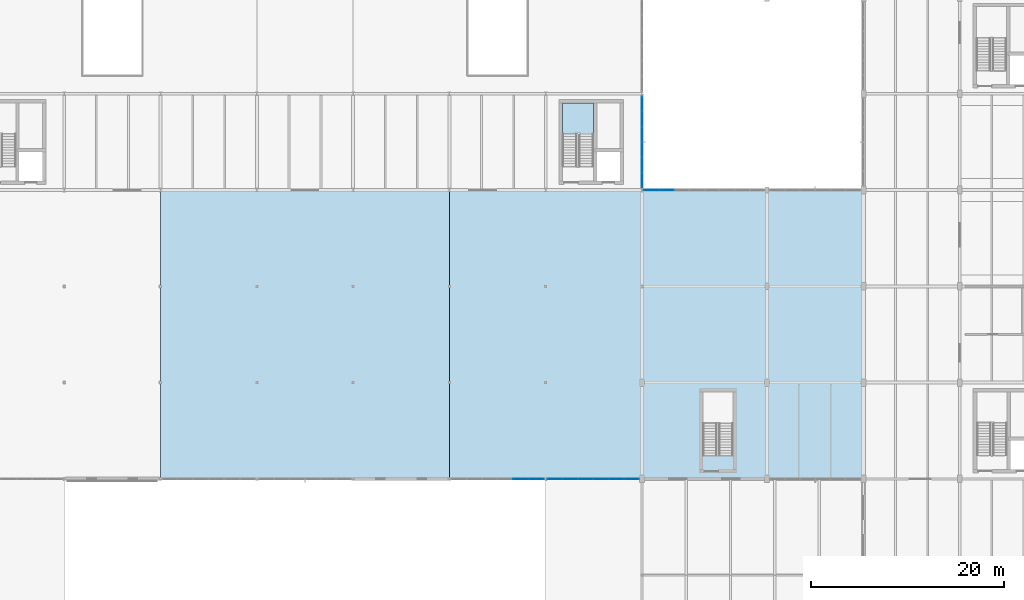
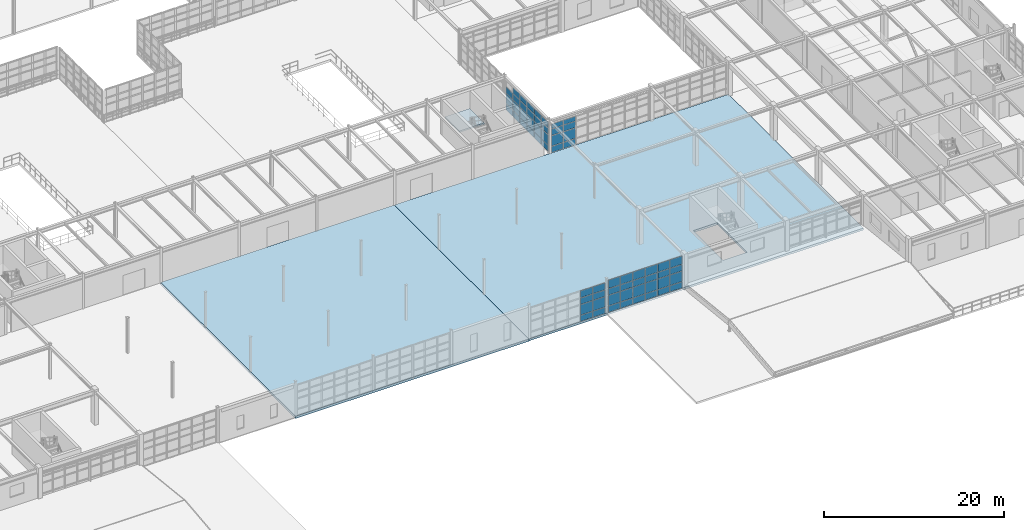
# One storey, part 87 of 139: 63 plates, 3 slabs, 5 elements without a shape of their own.
"""IFC4 building model written with IfcOpenShell, lengths in metres."""

from ifc_helpers import new_model, si_unit, direction, frame, origin, origin_2d, place, context, subcontext, project, spatial, polyline, rectangle, outline, extrude, material, layer, layer_set, type_object, element, aggregate, save


model = new_model("IFC4")

# Units and contexts
model_context = context("Model", 3, precision=1e-05, world=origin(), true_north=direction((0.0, 1.0)))
body_context = subcontext(model_context, "Body", "Model", "MODEL_VIEW")
ifc_project = project(units=[si_unit("LENGTHUNIT", "METRE"), si_unit("AREAUNIT", "SQUARE_METRE"), si_unit("VOLUMEUNIT", "CUBIC_METRE"), si_unit("PLANEANGLEUNIT", "RADIAN"), si_unit("MASSUNIT", "GRAM", prefix="KILO"), si_unit("THERMODYNAMICTEMPERATUREUNIT", "KELVIN"), si_unit("POWERUNIT", "WATT")], contexts=[model_context])

# Site, building, storey
site_placement = place(None, origin())
site = spatial("IfcSite", under=ifc_project, at=site_placement, CompositionType="ELEMENT")
building_placement = place(site_placement, origin())
building = spatial("IfcBuilding", under=site, at=building_placement, Name="Korenveer Ferry Terminal", CompositionType="ELEMENT")
storey_placement = place(building_placement, frame((0.0, 0.0, 5.39990234375)))
storey = spatial("IfcBuildingStorey", under=building, at=storey_placement, Name="L01", CompositionType="ELEMENT", Elevation=5.39990234375)

# Curtain wall, plates
ifc_material_1 = material(Name="Unitised bronze-and-glass curtain wall", Category="glass")
ifc_layer_1 = layer(ifc_material_1, 0.159912109375)
ifc_layer_set_1 = layer_set([ifc_layer_1], Name="Unitised bronze-and-glass curtain wall")
curtain_wall_type_1 = type_object("IfcCurtainWallType", Name="ENV-CW-40", PredefinedType="USERDEFINED", material=ifc_layer_set_1)
curtain_wall_1_placement = place(storey_placement, frame((103.155029296875, 20.0, 0.0)))
curtain_wall_1 = element("IfcCurtainWall", 1, at=curtain_wall_1_placement, inside=storey, type_object=curtain_wall_type_1, Name="Lancet curtain wall CWX-L01-X103-113-Y20-20", ObjectType="UNITISED CURTAIN WALL", PredefinedType="USERDEFINED")
ifc_material_2 = material(Name="Low-iron solar-control double glazing", Category="glass")
ifc_layer_2 = layer(ifc_material_2, 0.028076171875)
ifc_layer_set_2 = layer_set([ifc_layer_2], Name="Low-iron solar-control double glazing")
plate_type_1 = type_object("IfcPlateType", Name="ENV-CWP-GLZ28", PredefinedType="CURTAIN_PANEL", material=ifc_layer_set_2)
plate_1_placement = place(storey_placement, frame((110.422607421875, 20.0, 0.06005859375), z_axis=(0.0, 0.0, 1.0), x_axis=(1.0, 0.0, 0.0)))
plate_1 = element("IfcPlate", 2, at=plate_1_placement, type_object=plate_type_1, Name="CW-40 panel 5.1", PredefinedType="CURTAIN_PANEL", context=body_context, shape_type="SweptSolid", body=[
    extrude(rectangle(XDim=1.554931640625, YDim=0.028076171875, at=origin_2d()), origin(), (0.0, 0.0, 1.0), 0.81005859375),
])
plate_2_placement = place(storey_placement, frame((110.422607421875, 20.0, 0.93017578125), z_axis=(0.0, 0.0, 1.0), x_axis=(1.0, 0.0, 0.0)))
plate_2 = element("IfcPlate", 3, at=plate_2_placement, type_object=plate_type_1, Name="CW-40 panel 5.2", PredefinedType="CURTAIN_PANEL", context=body_context, shape_type="SweptSolid", body=[
    extrude(rectangle(XDim=1.554931640625, YDim=0.028076171875, at=origin_2d()), origin(), (0.0, 0.0, 1.0), 1.389892578125),
])
plate_3_placement = place(storey_placement, frame((110.422607421875, 20.0, 2.3798828125), z_axis=(0.0, 0.0, 1.0), x_axis=(1.0, 0.0, 0.0)))
plate_3 = element("IfcPlate", 4, at=plate_3_placement, type_object=plate_type_1, Name="CW-40 panel 5.3", PredefinedType="CURTAIN_PANEL", context=body_context, shape_type="SweptSolid", body=[
    extrude(rectangle(XDim=1.554931640625, YDim=0.028076171875, at=origin_2d()), origin(), (0.0, 0.0, 1.0), 0.840087890625),
])
plate_4_placement = place(storey_placement, frame((110.422607421875, 20.0, 3.280029296875), z_axis=(0.0, 0.0, 1.0), x_axis=(1.0, 0.0, 0.0)))
plate_4 = element("IfcPlate", 5, at=plate_4_placement, type_object=plate_type_1, Name="CW-40 panel 5.4", PredefinedType="CURTAIN_PANEL", context=body_context, shape_type="SweptSolid", body=[
    extrude(rectangle(XDim=1.554931640625, YDim=0.028076171875, at=origin_2d()), origin(), (0.0, 0.0, 1.0), 0.919921875),
])
plate_5_placement = place(storey_placement, frame((112.0224609375, 20.0, 0.06005859375), z_axis=(0.0, 0.0, 1.0), x_axis=(1.0, 0.0, 0.0)))
plate_5 = element("IfcPlate", 6, at=plate_5_placement, type_object=plate_type_1, Name="CW-40 panel 6.1", PredefinedType="CURTAIN_PANEL", context=body_context, shape_type="SweptSolid", body=[
    extrude(rectangle(XDim=1.52490234375, YDim=0.028076171875, at=origin_2d()), origin(), (0.0, 0.0, 1.0), 0.81005859375),
])
plate_6_placement = place(storey_placement, frame((112.0224609375, 20.0, 0.93017578125), z_axis=(0.0, 0.0, 1.0), x_axis=(1.0, 0.0, 0.0)))
plate_6 = element("IfcPlate", 7, at=plate_6_placement, type_object=plate_type_1, Name="CW-40 panel 6.2", PredefinedType="CURTAIN_PANEL", context=body_context, shape_type="SweptSolid", body=[
    extrude(rectangle(XDim=1.52490234375, YDim=0.028076171875, at=origin_2d()), origin(), (0.0, 0.0, 1.0), 1.389892578125),
])
plate_7_placement = place(storey_placement, frame((112.0224609375, 20.0, 2.3798828125), z_axis=(0.0, 0.0, 1.0), x_axis=(1.0, 0.0, 0.0)))
plate_7 = element("IfcPlate", 8, at=plate_7_placement, type_object=plate_type_1, Name="CW-40 panel 6.3", PredefinedType="CURTAIN_PANEL", context=body_context, shape_type="SweptSolid", body=[
    extrude(rectangle(XDim=1.52490234375, YDim=0.028076171875, at=origin_2d()), origin(), (0.0, 0.0, 1.0), 0.840087890625),
])
plate_8_placement = place(storey_placement, frame((112.0224609375, 20.0, 3.280029296875), z_axis=(0.0, 0.0, 1.0), x_axis=(1.0, 0.0, 0.0)))
plate_8 = element("IfcPlate", 9, at=plate_8_placement, type_object=plate_type_1, Name="CW-40 panel 6.4", PredefinedType="CURTAIN_PANEL", context=body_context, shape_type="SweptSolid", body=[
    extrude(rectangle(XDim=1.52490234375, YDim=0.028076171875, at=origin_2d()), origin(), (0.0, 0.0, 1.0), 0.919921875),
])
aggregate(curtain_wall_1, [plate_1, plate_2, plate_3, plate_4, plate_5, plate_6, plate_7, plate_8])

ifc_layer_3 = layer(ifc_material_1, 0.159912109375)
ifc_layer_set_3 = layer_set([ifc_layer_3], Name="Unitised bronze-and-glass curtain wall")
curtain_wall_type_2 = type_object("IfcCurtainWallType", Name="ENV-CW-39", PredefinedType="USERDEFINED", material=ifc_layer_set_3)
curtain_wall_2_placement = place(storey_placement, frame((113.155029296875, 20.0, 0.0)))
curtain_wall_2 = element("IfcCurtainWall", 10, at=curtain_wall_2_placement, inside=storey, type_object=curtain_wall_type_2, Name="Lancet curtain wall CWX-L01-X113-123-Y20-20", ObjectType="UNITISED CURTAIN WALL", PredefinedType="USERDEFINED")
plate_9_placement = place(storey_placement, frame((113.967041015625, 20.0, 0.06005859375), z_axis=(0.0, 0.0, 1.0), x_axis=(1.0, 0.0, 0.0)))
plate_9 = element("IfcPlate", 11, at=plate_9_placement, type_object=plate_type_1, Name="CW-39 panel 1.1", PredefinedType="CURTAIN_PANEL", context=body_context, shape_type="SweptSolid", body=[
    extrude(rectangle(XDim=1.504150390625, YDim=0.028076171875, at=origin_2d()), origin(), (0.0, 0.0, 1.0), 0.81005859375),
])
plate_10_placement = place(storey_placement, frame((113.967041015625, 20.0, 0.93017578125), z_axis=(0.0, 0.0, 1.0), x_axis=(1.0, 0.0, 0.0)))
plate_10 = element("IfcPlate", 12, at=plate_10_placement, type_object=plate_type_1, Name="CW-39 panel 1.2", PredefinedType="CURTAIN_PANEL", context=body_context, shape_type="SweptSolid", body=[
    extrude(rectangle(XDim=1.504150390625, YDim=0.028076171875, at=origin_2d()), origin(), (0.0, 0.0, 1.0), 1.389892578125),
])
plate_11_placement = place(storey_placement, frame((113.967041015625, 20.0, 2.3798828125), z_axis=(0.0, 0.0, 1.0), x_axis=(1.0, 0.0, 0.0)))
plate_11 = element("IfcPlate", 13, at=plate_11_placement, type_object=plate_type_1, Name="CW-39 panel 1.3", PredefinedType="CURTAIN_PANEL", context=body_context, shape_type="SweptSolid", body=[
    extrude(rectangle(XDim=1.504150390625, YDim=0.028076171875, at=origin_2d()), origin(), (0.0, 0.0, 1.0), 0.840087890625),
])
plate_12_placement = place(storey_placement, frame((113.967041015625, 20.0, 3.280029296875), z_axis=(0.0, 0.0, 1.0), x_axis=(1.0, 0.0, 0.0)))
plate_12 = element("IfcPlate", 14, at=plate_12_placement, type_object=plate_type_1, Name="CW-39 panel 1.4", PredefinedType="CURTAIN_PANEL", context=body_context, shape_type="SweptSolid", body=[
    extrude(rectangle(XDim=1.504150390625, YDim=0.028076171875, at=origin_2d()), origin(), (0.0, 0.0, 1.0), 1.1201171875),
])
plate_13_placement = place(storey_placement, frame((115.546142578125, 20.0, 0.06005859375), z_axis=(0.0, 0.0, 1.0), x_axis=(1.0, 0.0, 0.0)))
plate_13 = element("IfcPlate", 15, at=plate_13_placement, type_object=plate_type_1, Name="CW-39 panel 2.1", PredefinedType="CURTAIN_PANEL", context=body_context, shape_type="SweptSolid", body=[
    extrude(rectangle(XDim=1.5341796875, YDim=0.028076171875, at=origin_2d()), origin(), (0.0, 0.0, 1.0), 0.81005859375),
])
plate_14_placement = place(storey_placement, frame((115.546142578125, 20.0, 0.93017578125), z_axis=(0.0, 0.0, 1.0), x_axis=(1.0, 0.0, 0.0)))
plate_14 = element("IfcPlate", 16, at=plate_14_placement, type_object=plate_type_1, Name="CW-39 panel 2.2", PredefinedType="CURTAIN_PANEL", context=body_context, shape_type="SweptSolid", body=[
    extrude(rectangle(XDim=1.5341796875, YDim=0.028076171875, at=origin_2d()), origin(), (0.0, 0.0, 1.0), 1.389892578125),
])
plate_15_placement = place(storey_placement, frame((115.546142578125, 20.0, 2.3798828125), z_axis=(0.0, 0.0, 1.0), x_axis=(1.0, 0.0, 0.0)))
plate_15 = element("IfcPlate", 17, at=plate_15_placement, type_object=plate_type_1, Name="CW-39 panel 2.3", PredefinedType="CURTAIN_PANEL", context=body_context, shape_type="SweptSolid", body=[
    extrude(rectangle(XDim=1.5341796875, YDim=0.028076171875, at=origin_2d()), origin(), (0.0, 0.0, 1.0), 0.840087890625),
])
plate_16_placement = place(storey_placement, frame((115.546142578125, 20.0, 3.280029296875), z_axis=(0.0, 0.0, 1.0), x_axis=(1.0, 0.0, 0.0)))
plate_16 = element("IfcPlate", 18, at=plate_16_placement, type_object=plate_type_1, Name="CW-39 panel 2.4", PredefinedType="CURTAIN_PANEL", context=body_context, shape_type="SweptSolid", body=[
    extrude(rectangle(XDim=1.5341796875, YDim=0.028076171875, at=origin_2d()), origin(), (0.0, 0.0, 1.0), 1.1201171875),
])
plate_17_placement = place(storey_placement, frame((117.140380859375, 20.0, 0.06005859375), z_axis=(0.0, 0.0, 1.0), x_axis=(1.0, 0.0, 0.0)))
plate_17 = element("IfcPlate", 19, at=plate_17_placement, type_object=plate_type_1, Name="CW-39 panel 3.1", PredefinedType="CURTAIN_PANEL", context=body_context, shape_type="SweptSolid", body=[
    extrude(rectangle(XDim=1.5341796875, YDim=0.028076171875, at=origin_2d()), origin(), (0.0, 0.0, 1.0), 0.81005859375),
])
plate_18_placement = place(storey_placement, frame((117.140380859375, 20.0, 0.93017578125), z_axis=(0.0, 0.0, 1.0), x_axis=(1.0, 0.0, 0.0)))
plate_18 = element("IfcPlate", 20, at=plate_18_placement, type_object=plate_type_1, Name="CW-39 panel 3.2", PredefinedType="CURTAIN_PANEL", context=body_context, shape_type="SweptSolid", body=[
    extrude(rectangle(XDim=1.5341796875, YDim=0.028076171875, at=origin_2d()), origin(), (0.0, 0.0, 1.0), 1.389892578125),
])
plate_19_placement = place(storey_placement, frame((117.140380859375, 20.0, 2.3798828125), z_axis=(0.0, 0.0, 1.0), x_axis=(1.0, 0.0, 0.0)))
plate_19 = element("IfcPlate", 21, at=plate_19_placement, type_object=plate_type_1, Name="CW-39 panel 3.3", PredefinedType="CURTAIN_PANEL", context=body_context, shape_type="SweptSolid", body=[
    extrude(rectangle(XDim=1.5341796875, YDim=0.028076171875, at=origin_2d()), origin(), (0.0, 0.0, 1.0), 0.840087890625),
])
plate_20_placement = place(storey_placement, frame((117.140380859375, 20.0, 3.280029296875), z_axis=(0.0, 0.0, 1.0), x_axis=(1.0, 0.0, 0.0)))
plate_20 = element("IfcPlate", 22, at=plate_20_placement, type_object=plate_type_1, Name="CW-39 panel 3.4", PredefinedType="CURTAIN_PANEL", context=body_context, shape_type="SweptSolid", body=[
    extrude(rectangle(XDim=1.5341796875, YDim=0.028076171875, at=origin_2d()), origin(), (0.0, 0.0, 1.0), 1.1201171875),
])
plate_21_placement = place(storey_placement, frame((118.734619140625, 20.0, 0.06005859375), z_axis=(0.0, 0.0, 1.0), x_axis=(1.0, 0.0, 0.0)))
plate_21 = element("IfcPlate", 23, at=plate_21_placement, type_object=plate_type_1, Name="CW-39 panel 4.1", PredefinedType="CURTAIN_PANEL", context=body_context, shape_type="SweptSolid", body=[
    extrude(rectangle(XDim=1.5341796875, YDim=0.028076171875, at=origin_2d()), origin(), (0.0, 0.0, 1.0), 0.81005859375),
])
plate_22_placement = place(storey_placement, frame((118.734619140625, 20.0, 0.93017578125), z_axis=(0.0, 0.0, 1.0), x_axis=(1.0, 0.0, 0.0)))
plate_22 = element("IfcPlate", 24, at=plate_22_placement, type_object=plate_type_1, Name="CW-39 panel 4.2", PredefinedType="CURTAIN_PANEL", context=body_context, shape_type="SweptSolid", body=[
    extrude(rectangle(XDim=1.5341796875, YDim=0.028076171875, at=origin_2d()), origin(), (0.0, 0.0, 1.0), 1.389892578125),
])
plate_23_placement = place(storey_placement, frame((118.734619140625, 20.0, 2.3798828125), z_axis=(0.0, 0.0, 1.0), x_axis=(1.0, 0.0, 0.0)))
plate_23 = element("IfcPlate", 25, at=plate_23_placement, type_object=plate_type_1, Name="CW-39 panel 4.3", PredefinedType="CURTAIN_PANEL", context=body_context, shape_type="SweptSolid", body=[
    extrude(rectangle(XDim=1.5341796875, YDim=0.028076171875, at=origin_2d()), origin(), (0.0, 0.0, 1.0), 0.840087890625),
])
plate_24_placement = place(storey_placement, frame((118.734619140625, 20.0, 3.280029296875), z_axis=(0.0, 0.0, 1.0), x_axis=(1.0, 0.0, 0.0)))
plate_24 = element("IfcPlate", 26, at=plate_24_placement, type_object=plate_type_1, Name="CW-39 panel 4.4", PredefinedType="CURTAIN_PANEL", context=body_context, shape_type="SweptSolid", body=[
    extrude(rectangle(XDim=1.5341796875, YDim=0.028076171875, at=origin_2d()), origin(), (0.0, 0.0, 1.0), 1.1201171875),
])
plate_25_placement = place(storey_placement, frame((120.328857421875, 20.0, 0.06005859375), z_axis=(0.0, 0.0, 1.0), x_axis=(1.0, 0.0, 0.0)))
plate_25 = element("IfcPlate", 27, at=plate_25_placement, type_object=plate_type_1, Name="CW-39 panel 5.1", PredefinedType="CURTAIN_PANEL", context=body_context, shape_type="SweptSolid", body=[
    extrude(rectangle(XDim=1.5341796875, YDim=0.028076171875, at=origin_2d()), origin(), (0.0, 0.0, 1.0), 0.81005859375),
])
plate_26_placement = place(storey_placement, frame((120.328857421875, 20.0, 0.93017578125), z_axis=(0.0, 0.0, 1.0), x_axis=(1.0, 0.0, 0.0)))
plate_26 = element("IfcPlate", 28, at=plate_26_placement, type_object=plate_type_1, Name="CW-39 panel 5.2", PredefinedType="CURTAIN_PANEL", context=body_context, shape_type="SweptSolid", body=[
    extrude(rectangle(XDim=1.5341796875, YDim=0.028076171875, at=origin_2d()), origin(), (0.0, 0.0, 1.0), 1.389892578125),
])
plate_27_placement = place(storey_placement, frame((120.328857421875, 20.0, 2.3798828125), z_axis=(0.0, 0.0, 1.0), x_axis=(1.0, 0.0, 0.0)))
plate_27 = element("IfcPlate", 29, at=plate_27_placement, type_object=plate_type_1, Name="CW-39 panel 5.3", PredefinedType="CURTAIN_PANEL", context=body_context, shape_type="SweptSolid", body=[
    extrude(rectangle(XDim=1.5341796875, YDim=0.028076171875, at=origin_2d()), origin(), (0.0, 0.0, 1.0), 0.840087890625),
])
plate_28_placement = place(storey_placement, frame((120.328857421875, 20.0, 3.280029296875), z_axis=(0.0, 0.0, 1.0), x_axis=(1.0, 0.0, 0.0)))
plate_28 = element("IfcPlate", 30, at=plate_28_placement, type_object=plate_type_1, Name="CW-39 panel 5.4", PredefinedType="CURTAIN_PANEL", context=body_context, shape_type="SweptSolid", body=[
    extrude(rectangle(XDim=1.5341796875, YDim=0.028076171875, at=origin_2d()), origin(), (0.0, 0.0, 1.0), 1.1201171875),
])
plate_29_placement = place(storey_placement, frame((121.907958984375, 20.0, 0.06005859375), z_axis=(0.0, 0.0, 1.0), x_axis=(1.0, 0.0, 0.0)))
plate_29 = element("IfcPlate", 31, at=plate_29_placement, type_object=plate_type_1, Name="CW-39 panel 6.1", PredefinedType="CURTAIN_PANEL", context=body_context, shape_type="SweptSolid", body=[
    extrude(rectangle(XDim=1.504150390625, YDim=0.028076171875, at=origin_2d()), origin(), (0.0, 0.0, 1.0), 0.81005859375),
])
plate_30_placement = place(storey_placement, frame((121.907958984375, 20.0, 0.93017578125), z_axis=(0.0, 0.0, 1.0), x_axis=(1.0, 0.0, 0.0)))
plate_30 = element("IfcPlate", 32, at=plate_30_placement, type_object=plate_type_1, Name="CW-39 panel 6.2", PredefinedType="CURTAIN_PANEL", context=body_context, shape_type="SweptSolid", body=[
    extrude(rectangle(XDim=1.504150390625, YDim=0.028076171875, at=origin_2d()), origin(), (0.0, 0.0, 1.0), 1.389892578125),
])
plate_31_placement = place(storey_placement, frame((121.907958984375, 20.0, 2.3798828125), z_axis=(0.0, 0.0, 1.0), x_axis=(1.0, 0.0, 0.0)))
plate_31 = element("IfcPlate", 33, at=plate_31_placement, type_object=plate_type_1, Name="CW-39 panel 6.3", PredefinedType="CURTAIN_PANEL", context=body_context, shape_type="SweptSolid", body=[
    extrude(rectangle(XDim=1.504150390625, YDim=0.028076171875, at=origin_2d()), origin(), (0.0, 0.0, 1.0), 0.840087890625),
])
plate_32_placement = place(storey_placement, frame((121.907958984375, 20.0, 3.280029296875), z_axis=(0.0, 0.0, 1.0), x_axis=(1.0, 0.0, 0.0)))
plate_32 = element("IfcPlate", 34, at=plate_32_placement, type_object=plate_type_1, Name="CW-39 panel 6.4", PredefinedType="CURTAIN_PANEL", context=body_context, shape_type="SweptSolid", body=[
    extrude(rectangle(XDim=1.504150390625, YDim=0.028076171875, at=origin_2d()), origin(), (0.0, 0.0, 1.0), 1.1201171875),
])
aggregate(curtain_wall_2, [plate_9, plate_10, plate_11, plate_12, plate_13, plate_14, plate_15, plate_16, plate_17, plate_18, plate_19, plate_20, plate_21, plate_22, plate_23, plate_24, plate_25, plate_26, plate_27, plate_28, plate_29, plate_30, plate_31, plate_32])

ifc_layer_4 = layer(ifc_material_1, 0.159912109375)
ifc_layer_set_4 = layer_set([ifc_layer_4], Name="Unitised bronze-and-glass curtain wall")
curtain_wall_type_3 = type_object("IfcCurtainWallType", Name="ENV-CW-44", PredefinedType="USERDEFINED", material=ifc_layer_set_4)
curtain_wall_3_placement = place(storey_placement, frame((123.179931640625, 50.0, 0.0)))
curtain_wall_3 = element("IfcCurtainWall", 35, at=curtain_wall_3_placement, inside=storey, type_object=curtain_wall_type_3, Name="Lancet curtain wall CWX-L01-X123-136-Y50-50", ObjectType="UNITISED CURTAIN WALL", PredefinedType="USERDEFINED")
plate_33_placement = place(storey_placement, frame((123.98193359375, 50.0, 0.06005859375), z_axis=(0.0, 0.0, 1.0), x_axis=(1.0, 0.0, 0.0)))
plate_33 = element("IfcPlate", 36, at=plate_33_placement, type_object=plate_type_1, Name="CW-44 panel 1.1", PredefinedType="CURTAIN_PANEL", context=body_context, shape_type="SweptSolid", body=[
    extrude(rectangle(XDim=1.483642578125, YDim=0.028076171875, at=origin_2d()), origin(), (0.0, 0.0, 1.0), 0.81005859375),
])
plate_34_placement = place(storey_placement, frame((123.98193359375, 50.0, 0.93017578125), z_axis=(0.0, 0.0, 1.0), x_axis=(1.0, 0.0, 0.0)))
plate_34 = element("IfcPlate", 37, at=plate_34_placement, type_object=plate_type_1, Name="CW-44 panel 1.2", PredefinedType="CURTAIN_PANEL", context=body_context, shape_type="SweptSolid", body=[
    extrude(rectangle(XDim=1.483642578125, YDim=0.028076171875, at=origin_2d()), origin(), (0.0, 0.0, 1.0), 1.389892578125),
])
plate_35_placement = place(storey_placement, frame((123.98193359375, 50.0, 2.3798828125), z_axis=(0.0, 0.0, 1.0), x_axis=(1.0, 0.0, 0.0)))
plate_35 = element("IfcPlate", 38, at=plate_35_placement, type_object=plate_type_1, Name="CW-44 panel 1.3", PredefinedType="CURTAIN_PANEL", context=body_context, shape_type="SweptSolid", body=[
    extrude(rectangle(XDim=1.483642578125, YDim=0.028076171875, at=origin_2d()), origin(), (0.0, 0.0, 1.0), 0.840087890625),
])
plate_36_placement = place(storey_placement, frame((123.98193359375, 50.0, 3.280029296875), z_axis=(0.0, 0.0, 1.0), x_axis=(1.0, 0.0, 0.0)))
plate_36 = element("IfcPlate", 39, at=plate_36_placement, type_object=plate_type_1, Name="CW-44 panel 1.4", PredefinedType="CURTAIN_PANEL", context=body_context, shape_type="SweptSolid", body=[
    extrude(rectangle(XDim=1.483642578125, YDim=0.028076171875, at=origin_2d()), origin(), (0.0, 0.0, 1.0), 0.6201171875),
])
plate_37_placement = place(storey_placement, frame((125.54052734375, 50.0, 0.06005859375), z_axis=(0.0, 0.0, 1.0), x_axis=(1.0, 0.0, 0.0)))
plate_37 = element("IfcPlate", 40, at=plate_37_placement, type_object=plate_type_1, Name="CW-44 panel 2.1", PredefinedType="CURTAIN_PANEL", context=body_context, shape_type="SweptSolid", body=[
    extrude(rectangle(XDim=1.513671875, YDim=0.028076171875, at=origin_2d()), origin(), (0.0, 0.0, 1.0), 0.81005859375),
])
plate_38_placement = place(storey_placement, frame((125.54052734375, 50.0, 0.93017578125), z_axis=(0.0, 0.0, 1.0), x_axis=(1.0, 0.0, 0.0)))
plate_38 = element("IfcPlate", 41, at=plate_38_placement, type_object=plate_type_1, Name="CW-44 panel 2.2", PredefinedType="CURTAIN_PANEL", context=body_context, shape_type="SweptSolid", body=[
    extrude(rectangle(XDim=1.513671875, YDim=0.028076171875, at=origin_2d()), origin(), (0.0, 0.0, 1.0), 1.389892578125),
])
plate_39_placement = place(storey_placement, frame((125.54052734375, 50.0, 2.3798828125), z_axis=(0.0, 0.0, 1.0), x_axis=(1.0, 0.0, 0.0)))
plate_39 = element("IfcPlate", 42, at=plate_39_placement, type_object=plate_type_1, Name="CW-44 panel 2.3", PredefinedType="CURTAIN_PANEL", context=body_context, shape_type="SweptSolid", body=[
    extrude(rectangle(XDim=1.513671875, YDim=0.028076171875, at=origin_2d()), origin(), (0.0, 0.0, 1.0), 0.840087890625),
])
plate_40_placement = place(storey_placement, frame((125.54052734375, 50.0, 3.280029296875), z_axis=(0.0, 0.0, 1.0), x_axis=(1.0, 0.0, 0.0)))
plate_40 = element("IfcPlate", 43, at=plate_40_placement, type_object=plate_type_1, Name="CW-44 panel 2.4", PredefinedType="CURTAIN_PANEL", context=body_context, shape_type="SweptSolid", body=[
    extrude(rectangle(XDim=1.513671875, YDim=0.028076171875, at=origin_2d()), origin(), (0.0, 0.0, 1.0), 0.6201171875),
])
aggregate(curtain_wall_3, [plate_33, plate_34, plate_35, plate_36, plate_37, plate_38, plate_39, plate_40])

ifc_layer_5 = layer(ifc_material_1, 0.219970703125)
ifc_layer_set_5 = layer_set([ifc_layer_5], Name="Unitised bronze-and-glass curtain wall")
curtain_wall_type_4 = type_object("IfcCurtainWallType", Name="ENV-CW-73", PredefinedType="USERDEFINED", material=ifc_layer_set_5)
curtain_wall_4_placement = place(storey_placement, frame((123.0, 59.7900390625, 0.0)))
curtain_wall_4 = element("IfcCurtainWall", 44, at=curtain_wall_4_placement, inside=storey, type_object=curtain_wall_type_4, Name="Lancet curtain wall CWX-L01-X123-123-Y50-60", ObjectType="UNITISED CURTAIN WALL", PredefinedType="USERDEFINED")
ifc_material_3 = material(Name="Acoustic laminated marine glazing", Category="glass")
ifc_layer_6 = layer(ifc_material_3, 0.035888671875)
ifc_layer_set_6 = layer_set([ifc_layer_6], Name="Acoustic laminated marine glazing")
plate_type_2 = type_object("IfcPlateType", Name="ENV-CWP-GLZ36", PredefinedType="CURTAIN_PANEL", material=ifc_layer_set_6)
plate_41_placement = place(storey_placement, frame((123.0, 58.972900390625, 0.074951171875), z_axis=(0.0, 0.0, 1.0), x_axis=(0.0, -1.0, 0.0)))
plate_41 = element("IfcPlate", 45, at=plate_41_placement, type_object=plate_type_2, Name="CW-73 panel 1.1", PredefinedType="CURTAIN_PANEL", context=body_context, shape_type="SweptSolid", body=[
    extrude(rectangle(XDim=1.484130859375, YDim=0.035888671875, at=origin_2d()), origin(), (0.0, 0.0, 1.0), 0.78759765625),
])
plate_42_placement = place(storey_placement, frame((123.0, 58.972900390625, 0.9375), z_axis=(0.0, 0.0, 1.0), x_axis=(0.0, -1.0, 0.0)))
plate_42 = element("IfcPlate", 46, at=plate_42_placement, type_object=plate_type_2, Name="CW-73 panel 1.2", PredefinedType="CURTAIN_PANEL", context=body_context, shape_type="SweptSolid", body=[
    extrude(rectangle(XDim=1.484130859375, YDim=0.035888671875, at=origin_2d()), origin(), (0.0, 0.0, 1.0), 1.375),
])
plate_43_placement = place(storey_placement, frame((123.0, 58.972900390625, 2.3876953125), z_axis=(0.0, 0.0, 1.0), x_axis=(0.0, -1.0, 0.0)))
plate_43 = element("IfcPlate", 47, at=plate_43_placement, type_object=plate_type_2, Name="CW-73 panel 1.3", PredefinedType="CURTAIN_PANEL", context=body_context, shape_type="SweptSolid", body=[
    extrude(rectangle(XDim=1.484130859375, YDim=0.035888671875, at=origin_2d()), origin(), (0.0, 0.0, 1.0), 0.824951171875),
])
plate_44_placement = place(storey_placement, frame((123.0, 57.39501953125, 0.074951171875), z_axis=(0.0, 0.0, 1.0), x_axis=(0.0, -1.0, 0.0)))
plate_44 = element("IfcPlate", 48, at=plate_44_placement, type_object=plate_type_2, Name="CW-73 panel 2.1", PredefinedType="CURTAIN_PANEL", context=body_context, shape_type="SweptSolid", body=[
    extrude(rectangle(XDim=1.521728515625, YDim=0.035888671875, at=origin_2d()), origin(), (0.0, 0.0, 1.0), 0.78759765625),
])
plate_45_placement = place(storey_placement, frame((123.0, 57.39501953125, 0.9375), z_axis=(0.0, 0.0, 1.0), x_axis=(0.0, -1.0, 0.0)))
plate_45 = element("IfcPlate", 49, at=plate_45_placement, type_object=plate_type_2, Name="CW-73 panel 2.2", PredefinedType="CURTAIN_PANEL", context=body_context, shape_type="SweptSolid", body=[
    extrude(rectangle(XDim=1.521728515625, YDim=0.035888671875, at=origin_2d()), origin(), (0.0, 0.0, 1.0), 1.375),
])
plate_46_placement = place(storey_placement, frame((123.0, 57.39501953125, 2.3876953125), z_axis=(0.0, 0.0, 1.0), x_axis=(0.0, -1.0, 0.0)))
plate_46 = element("IfcPlate", 50, at=plate_46_placement, type_object=plate_type_2, Name="CW-73 panel 2.3", PredefinedType="CURTAIN_PANEL", context=body_context, shape_type="SweptSolid", body=[
    extrude(rectangle(XDim=1.521728515625, YDim=0.035888671875, at=origin_2d()), origin(), (0.0, 0.0, 1.0), 0.824951171875),
])
plate_47_placement = place(storey_placement, frame((123.0, 57.39501953125, 3.28759765625), z_axis=(0.0, 0.0, 1.0), x_axis=(0.0, -1.0, 0.0)))
plate_47 = element("IfcPlate", 51, at=plate_47_placement, type_object=plate_type_2, Name="CW-73 panel 2.4", PredefinedType="CURTAIN_PANEL", context=body_context, shape_type="SweptSolid", body=[
    extrude(rectangle(XDim=1.521728515625, YDim=0.035888671875, at=origin_2d()), origin(), (0.0, 0.0, 1.0), 0.767578125),
])
plate_48_placement = place(storey_placement, frame((123.0, 55.79833984375, 0.074951171875), z_axis=(0.0, 0.0, 1.0), x_axis=(0.0, -1.0, 0.0)))
plate_48 = element("IfcPlate", 52, at=plate_48_placement, type_object=plate_type_2, Name="CW-73 panel 3.1", PredefinedType="CURTAIN_PANEL", context=body_context, shape_type="SweptSolid", body=[
    extrude(rectangle(XDim=1.521728515625, YDim=0.035888671875, at=origin_2d()), origin(), (0.0, 0.0, 1.0), 0.78759765625),
])
plate_49_placement = place(storey_placement, frame((123.0, 55.79833984375, 0.9375), z_axis=(0.0, 0.0, 1.0), x_axis=(0.0, -1.0, 0.0)))
plate_49 = element("IfcPlate", 53, at=plate_49_placement, type_object=plate_type_2, Name="CW-73 panel 3.2", PredefinedType="CURTAIN_PANEL", context=body_context, shape_type="SweptSolid", body=[
    extrude(rectangle(XDim=1.521728515625, YDim=0.035888671875, at=origin_2d()), origin(), (0.0, 0.0, 1.0), 1.375),
])
plate_50_placement = place(storey_placement, frame((123.0, 55.79833984375, 2.3876953125), z_axis=(0.0, 0.0, 1.0), x_axis=(0.0, -1.0, 0.0)))
plate_50 = element("IfcPlate", 54, at=plate_50_placement, type_object=plate_type_2, Name="CW-73 panel 3.3", PredefinedType="CURTAIN_PANEL", context=body_context, shape_type="SweptSolid", body=[
    extrude(rectangle(XDim=1.521728515625, YDim=0.035888671875, at=origin_2d()), origin(), (0.0, 0.0, 1.0), 0.824951171875),
])
plate_51_placement = place(storey_placement, frame((123.0, 55.79833984375, 3.28759765625), z_axis=(0.0, 0.0, 1.0), x_axis=(0.0, -1.0, 0.0)))
plate_51 = element("IfcPlate", 55, at=plate_51_placement, type_object=plate_type_2, Name="CW-73 panel 3.4", PredefinedType="CURTAIN_PANEL", context=body_context, shape_type="SweptSolid", body=[
    extrude(rectangle(XDim=1.521728515625, YDim=0.035888671875, at=origin_2d()), origin(), (0.0, 0.0, 1.0), 0.767578125),
])
plate_52_placement = place(storey_placement, frame((123.0, 54.20166015625, 0.074951171875), z_axis=(0.0, 0.0, 1.0), x_axis=(0.0, -1.0, 0.0)))
plate_52 = element("IfcPlate", 56, at=plate_52_placement, type_object=plate_type_2, Name="CW-73 panel 4.1", PredefinedType="CURTAIN_PANEL", context=body_context, shape_type="SweptSolid", body=[
    extrude(rectangle(XDim=1.521728515625, YDim=0.035888671875, at=origin_2d()), origin(), (0.0, 0.0, 1.0), 0.78759765625),
])
plate_53_placement = place(storey_placement, frame((123.0, 54.20166015625, 0.9375), z_axis=(0.0, 0.0, 1.0), x_axis=(0.0, -1.0, 0.0)))
plate_53 = element("IfcPlate", 57, at=plate_53_placement, type_object=plate_type_2, Name="CW-73 panel 4.2", PredefinedType="CURTAIN_PANEL", context=body_context, shape_type="SweptSolid", body=[
    extrude(rectangle(XDim=1.521728515625, YDim=0.035888671875, at=origin_2d()), origin(), (0.0, 0.0, 1.0), 1.375),
])
plate_54_placement = place(storey_placement, frame((123.0, 54.20166015625, 2.3876953125), z_axis=(0.0, 0.0, 1.0), x_axis=(0.0, -1.0, 0.0)))
plate_54 = element("IfcPlate", 58, at=plate_54_placement, type_object=plate_type_2, Name="CW-73 panel 4.3", PredefinedType="CURTAIN_PANEL", context=body_context, shape_type="SweptSolid", body=[
    extrude(rectangle(XDim=1.521728515625, YDim=0.035888671875, at=origin_2d()), origin(), (0.0, 0.0, 1.0), 0.824951171875),
])
plate_55_placement = place(storey_placement, frame((123.0, 54.20166015625, 3.28759765625), z_axis=(0.0, 0.0, 1.0), x_axis=(0.0, -1.0, 0.0)))
plate_55 = element("IfcPlate", 59, at=plate_55_placement, type_object=plate_type_2, Name="CW-73 panel 4.4", PredefinedType="CURTAIN_PANEL", context=body_context, shape_type="SweptSolid", body=[
    extrude(rectangle(XDim=1.521728515625, YDim=0.035888671875, at=origin_2d()), origin(), (0.0, 0.0, 1.0), 0.767578125),
])
plate_56_placement = place(storey_placement, frame((123.0, 52.60498046875, 0.074951171875), z_axis=(0.0, 0.0, 1.0), x_axis=(0.0, -1.0, 0.0)))
plate_56 = element("IfcPlate", 60, at=plate_56_placement, type_object=plate_type_2, Name="CW-73 panel 5.1", PredefinedType="CURTAIN_PANEL", context=body_context, shape_type="SweptSolid", body=[
    extrude(rectangle(XDim=1.521728515625, YDim=0.035888671875, at=origin_2d()), origin(), (0.0, 0.0, 1.0), 0.78759765625),
])
plate_57_placement = place(storey_placement, frame((123.0, 52.60498046875, 0.9375), z_axis=(0.0, 0.0, 1.0), x_axis=(0.0, -1.0, 0.0)))
plate_57 = element("IfcPlate", 61, at=plate_57_placement, type_object=plate_type_2, Name="CW-73 panel 5.2", PredefinedType="CURTAIN_PANEL", context=body_context, shape_type="SweptSolid", body=[
    extrude(rectangle(XDim=1.521728515625, YDim=0.035888671875, at=origin_2d()), origin(), (0.0, 0.0, 1.0), 1.375),
])
plate_58_placement = place(storey_placement, frame((123.0, 52.60498046875, 2.3876953125), z_axis=(0.0, 0.0, 1.0), x_axis=(0.0, -1.0, 0.0)))
plate_58 = element("IfcPlate", 62, at=plate_58_placement, type_object=plate_type_2, Name="CW-73 panel 5.3", PredefinedType="CURTAIN_PANEL", context=body_context, shape_type="SweptSolid", body=[
    extrude(rectangle(XDim=1.521728515625, YDim=0.035888671875, at=origin_2d()), origin(), (0.0, 0.0, 1.0), 0.824951171875),
])
plate_59_placement = place(storey_placement, frame((123.0, 52.60498046875, 3.28759765625), z_axis=(0.0, 0.0, 1.0), x_axis=(0.0, -1.0, 0.0)))
plate_59 = element("IfcPlate", 63, at=plate_59_placement, type_object=plate_type_2, Name="CW-73 panel 5.4", PredefinedType="CURTAIN_PANEL", context=body_context, shape_type="SweptSolid", body=[
    extrude(rectangle(XDim=1.521728515625, YDim=0.035888671875, at=origin_2d()), origin(), (0.0, 0.0, 1.0), 0.767578125),
])
plate_60_placement = place(storey_placement, frame((123.0, 51.027099609375, 0.074951171875), z_axis=(0.0, 0.0, 1.0), x_axis=(0.0, -1.0, 0.0)))
plate_60 = element("IfcPlate", 64, at=plate_60_placement, type_object=plate_type_2, Name="CW-73 panel 6.1", PredefinedType="CURTAIN_PANEL", context=body_context, shape_type="SweptSolid", body=[
    extrude(rectangle(XDim=1.484130859375, YDim=0.035888671875, at=origin_2d()), origin(), (0.0, 0.0, 1.0), 0.78759765625),
])
plate_61_placement = place(storey_placement, frame((123.0, 51.027099609375, 0.9375), z_axis=(0.0, 0.0, 1.0), x_axis=(0.0, -1.0, 0.0)))
plate_61 = element("IfcPlate", 65, at=plate_61_placement, type_object=plate_type_2, Name="CW-73 panel 6.2", PredefinedType="CURTAIN_PANEL", context=body_context, shape_type="SweptSolid", body=[
    extrude(rectangle(XDim=1.484130859375, YDim=0.035888671875, at=origin_2d()), origin(), (0.0, 0.0, 1.0), 1.375),
])
plate_62_placement = place(storey_placement, frame((123.0, 51.027099609375, 2.3876953125), z_axis=(0.0, 0.0, 1.0), x_axis=(0.0, -1.0, 0.0)))
plate_62 = element("IfcPlate", 66, at=plate_62_placement, type_object=plate_type_2, Name="CW-73 panel 6.3", PredefinedType="CURTAIN_PANEL", context=body_context, shape_type="SweptSolid", body=[
    extrude(rectangle(XDim=1.484130859375, YDim=0.035888671875, at=origin_2d()), origin(), (0.0, 0.0, 1.0), 0.824951171875),
])
plate_63_placement = place(storey_placement, frame((123.0, 51.027099609375, 3.28759765625), z_axis=(0.0, 0.0, 1.0), x_axis=(0.0, -1.0, 0.0)))
plate_63 = element("IfcPlate", 67, at=plate_63_placement, type_object=plate_type_2, Name="CW-73 panel 6.4", PredefinedType="CURTAIN_PANEL", context=body_context, shape_type="SweptSolid", body=[
    extrude(rectangle(XDim=1.484130859375, YDim=0.035888671875, at=origin_2d()), origin(), (0.0, 0.0, 1.0), 0.767578125),
])
aggregate(curtain_wall_4, [plate_41, plate_42, plate_43, plate_44, plate_45, plate_46, plate_47, plate_48, plate_49, plate_50, plate_51, plate_52, plate_53, plate_54, plate_55, plate_56, plate_57, plate_58, plate_59, plate_60, plate_61, plate_62, plate_63])

# Stair, slab
ifc_material_4 = material(Name="Concrete C40/50", Category="concrete")
stair_type = type_object("IfcStairType", Name="INT-ST-06", PredefinedType="HALF_TURN_STAIR", material=ifc_material_4)
stair_placement = place(storey_placement, frame((117.2099609375, 52.4599609375, 0.0)))
stair = element("IfcStair", 68, at=stair_placement, inside=storey, type_object=stair_type, Name="L01 Departure East Core K6", PredefinedType="HALF_TURN_STAIR")
ifc_layer_7 = layer(ifc_material_4, 0.199951171875)
ifc_layer_set_7 = layer_set([ifc_layer_7], Name="Concrete C40/50")
slab_type_1 = type_object("IfcSlabType", Name="INT-SL-LAND200", PredefinedType="LANDING", material=ifc_layer_set_7)
slab_1_placement = place(storey_placement, frame((0.0, 0.0, 2.2001953125)))
slab_1 = element("IfcSlab", 69, at=slab_1_placement, type_object=slab_type_1, Name="ST06 landing 1", PredefinedType="LANDING", context=body_context, shape_type="SweptSolid", body=[
    extrude(outline(polyline([(117.9599609375, 55.820068359375), (117.9599609375, 59.0400390625), (114.760009765625, 59.0400390625), (114.760009765625, 55.820068359375), (117.9599609375, 55.820068359375)])), origin(), (0.0, 0.0, 1.0), 0.199951171875),
])
aggregate(stair, [slab_1])

# Slabs
ifc_material_5 = material(Name="Concrete C35/45", Category="concrete")
ifc_layer_8 = layer(ifc_material_5, 0.280029296875)
ifc_layer_set_8 = layer_set([ifc_layer_8], Name="Concrete C35/45")
slab_type_2 = type_object("IfcSlabType", Name="STR-SL-FLR280", PredefinedType="FLOOR", material=ifc_layer_set_8)
slab_2_placement = place(storey_placement, frame((0.0, 0.0, -0.27978515625)))
element("IfcSlab", 70, at=slab_2_placement, inside=storey, type_object=slab_type_2, Name="Floor slab SL-L01-ARE", PredefinedType="FLOOR", context=body_context, shape_type="SweptSolid", body=[
    extrude(outline(polyline([(103.0, 20.0), (146.0, 20.0), (146.0, 50.0), (103.0, 50.0), (103.0, 20.0)]), holes=[polyline([(132.4599609375, 22.409912109375), (132.4599609375, 29.0400390625), (129.360107421875, 29.0400390625), (129.360107421875, 22.409912109375), (132.4599609375, 22.409912109375)])]), origin(), (0.0, 0.0, 1.0), 0.27978515625),
])
ifc_layer_9 = layer(ifc_material_5, 0.320068359375)
ifc_layer_set_9 = layer_set([ifc_layer_9], Name="Concrete C35/45")
slab_type_3 = type_object("IfcSlabType", Name="STR-SL-FLR320", PredefinedType="FLOOR", material=ifc_layer_set_9)
slab_3_placement = place(storey_placement, frame((0.0, 0.0, -0.31982421875)))
element("IfcSlab", 71, at=slab_3_placement, inside=storey, type_object=slab_type_3, Name="Floor slab SL-L01-ARC", PredefinedType="FLOOR", context=body_context, shape_type="SweptSolid", body=[
    extrude(outline(polyline([(73.0, 20.0), (103.0, 20.0), (103.0, 50.0), (73.0, 50.0), (73.0, 20.0)])), origin(), (0.0, 0.0, 1.0), 0.31982421875),
])

save(model, "model.ifc")
